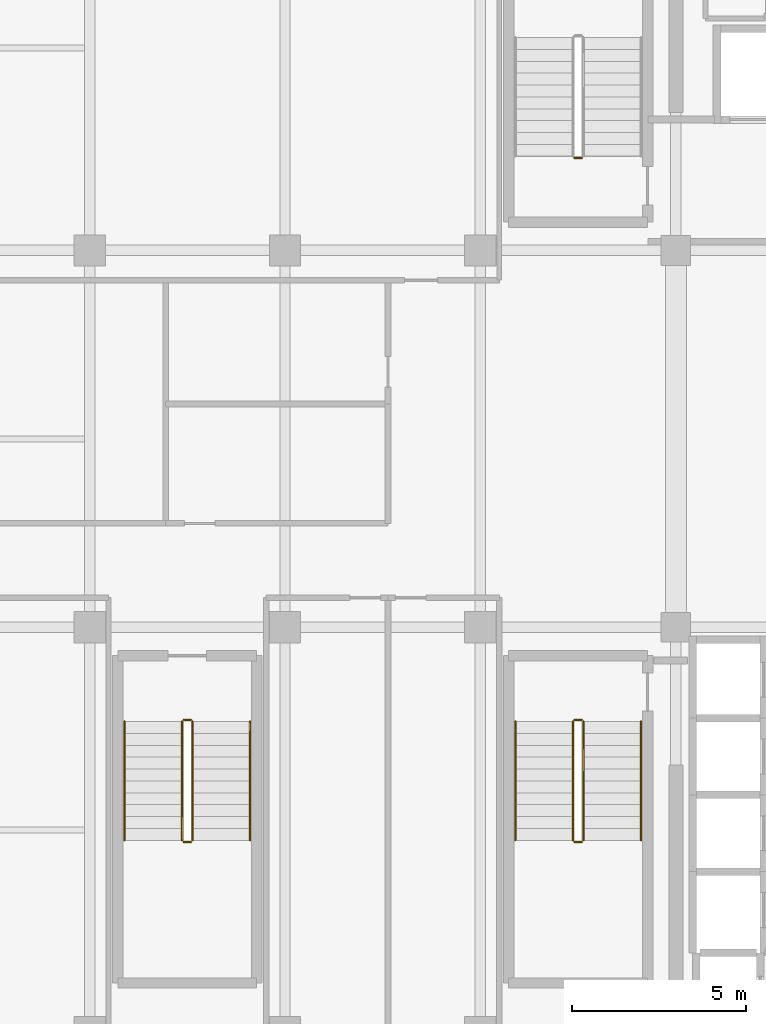
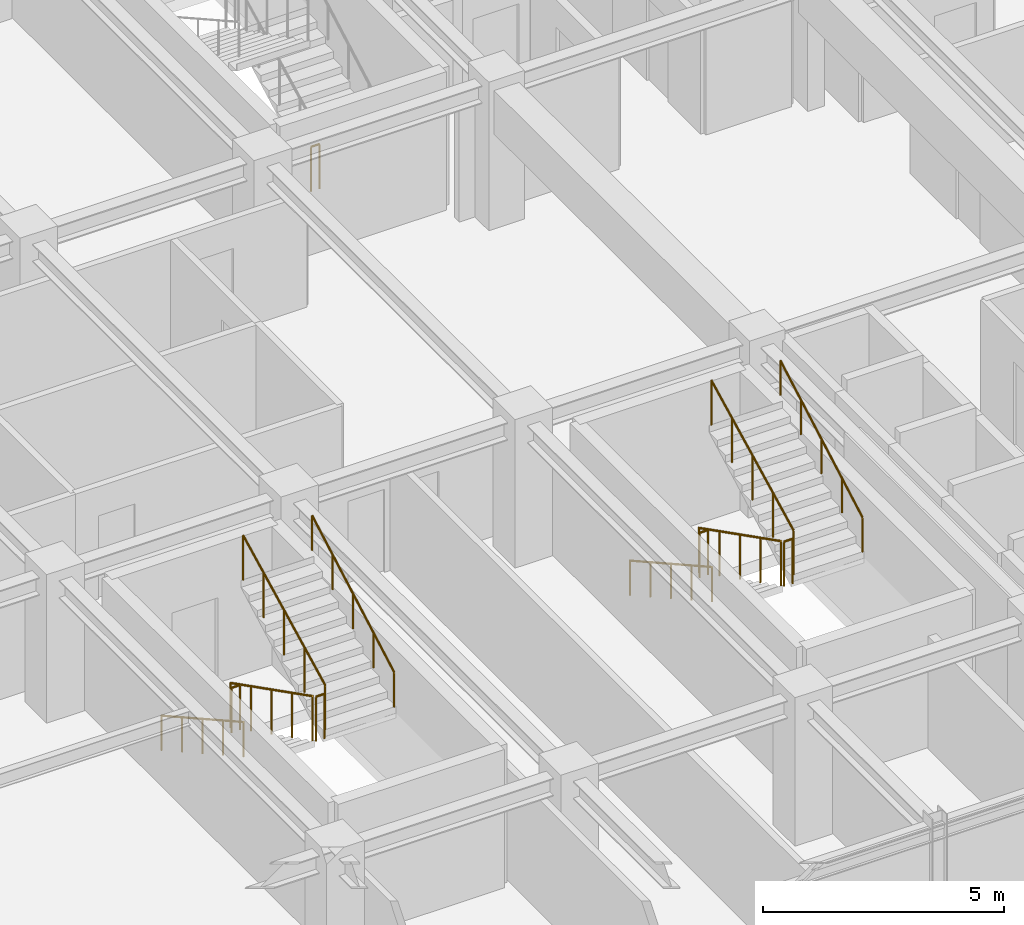
# One storey, part 28 of 31: 13 railings.
"""IFC4 building model written with IfcOpenShell, lengths in metres."""

from ifc_helpers import new_model, si_unit, direction, frame, origin, origin_2d, place, context, subcontext, project, spatial, circle, extrude, material, type_object, element, save


model = new_model("IFC4")

# Units and contexts
model_context = context("Model", 3, precision=1e-05, world=origin(), true_north=direction((0.0, 1.0)))
body_context = subcontext(model_context, "Body", "Model", "MODEL_VIEW")
ifc_project = project(units=[si_unit("LENGTHUNIT", "METRE"), si_unit("AREAUNIT", "SQUARE_METRE"), si_unit("VOLUMEUNIT", "CUBIC_METRE"), si_unit("PLANEANGLEUNIT", "RADIAN"), si_unit("MASSUNIT", "GRAM", prefix="KILO")], contexts=[model_context])

# Site, building, storey
site_placement = place(None, origin())
site = spatial("IfcSite", under=ifc_project, at=site_placement, CompositionType="ELEMENT")
building_placement = place(site_placement, origin())
building = spatial("IfcBuilding", under=site, at=building_placement, Name="Nahalor Promenade Grand Hotel", CompositionType="ELEMENT")
storey_placement = place(building_placement, frame((0.0, 0.0, 327.14990234375)))
storey = spatial("IfcBuildingStorey", under=building, at=storey_placement, Name="L84", CompositionType="ELEMENT", Elevation=327.14990234375)

# Railings
ifc_material = material(Name="Steel S355JR", Category="steel")
railing_type_1 = type_object("IfcRailingType", Name="Steel Stair Guardrail 1150 mm", PredefinedType="GUARDRAIL", material=ifc_material)
railing_1_placement = place(storey_placement, frame((5.699951171875, 8.050048828125, 0.0)))
element("IfcRailing", 1, at=railing_1_placement, inside=storey, type_object=railing_type_1, Name="L84 ST1 stair guard 4", PredefinedType="GUARDRAIL", context=body_context, shape_type="SweptSolid", body=[
    extrude(circle(Radius=0.024048, at=origin_2d()), frame((0.0, 0.0, 1.1259765625), z_axis=(-1.0, 0.0, 0.0), x_axis=(0.0, -1.0, 0.0)), (0.0, 0.0, 1.0), 0.199951171875),
    extrude(circle(Radius=0.020996, at=origin_2d()), origin(), (0.0, 0.0, 1.0), 1.099853515625),
    extrude(circle(Radius=0.020996, at=origin_2d()), frame((-0.199951171875, 0.0, 0.0)), (0.0, 0.0, 1.0), 1.099853515625),
])
railing_2_placement = place(storey_placement, frame((5.449951171875, -8.10009765625, 0.1728515625)))
element("IfcRailing", 2, at=railing_2_placement, inside=storey, type_object=railing_type_1, Name="L84 ST2 stair guard 1", PredefinedType="GUARDRAIL", context=body_context, shape_type="SweptSolid", body=[
    extrude(circle(Radius=0.024048, at=origin_2d()), frame((0.0, 0.0, 1.1259765625), z_axis=(0.0, -0.89154070688, 0.452940578858), x_axis=(1.0, 0.0, 0.0)), (0.0, 0.0, 1.0), 3.8134765625),
    extrude(circle(Radius=0.020996, at=origin_2d()), origin(), (0.0, 0.0, 1.0), 1.099853515625),
    extrude(circle(Radius=0.020996, at=origin_2d()), frame((0.0, -0.85009765625, 0.431884765625)), (0.0, 0.0, 1.0), 1.099853515625),
    extrude(circle(Radius=0.020996, at=origin_2d()), frame((0.0, -1.699951171875, 0.86376953125)), (0.0, 0.0, 1.0), 1.099853515625),
    extrude(circle(Radius=0.020996, at=origin_2d()), frame((0.0, -2.5498046875, 1.29541015625)), (0.0, 0.0, 1.0), 1.099853515625),
    extrude(circle(Radius=0.020996, at=origin_2d()), frame((0.0, -3.39990234375, 1.727294921875)), (0.0, 0.0, 1.0), 1.099853515625),
])
railing_3_placement = place(storey_placement, frame((5.5, -11.550048828125, 1.900146484375)))
element("IfcRailing", 3, at=railing_3_placement, inside=storey, type_object=railing_type_1, Name="L84 ST2 stair guard 2", PredefinedType="GUARDRAIL", context=body_context, shape_type="SweptSolid", body=[
    extrude(circle(Radius=0.024048, at=origin_2d()), frame((0.0, 0.0, 1.1259765625), z_axis=(1.0, 0.0, 0.0), x_axis=(0.0, 1.0, 0.0)), (0.0, 0.0, 1.0), 0.199951171875),
    extrude(circle(Radius=0.020996, at=origin_2d()), origin(), (0.0, 0.0, 1.0), 1.099853515625),
    extrude(circle(Radius=0.020996, at=origin_2d()), frame((0.199951171875, 0.0, 0.0)), (0.0, 0.0, 1.0), 1.099853515625),
])
railing_4_placement = place(storey_placement, frame((5.75, -11.5, 2.07275390625)))
element("IfcRailing", 4, at=railing_4_placement, inside=storey, type_object=railing_type_1, Name="L84 ST2 stair guard 3", PredefinedType="GUARDRAIL", context=body_context, shape_type="SweptSolid", body=[
    extrude(circle(Radius=0.024048, at=origin_2d()), frame((0.0, 0.0, 1.1259765625), z_axis=(0.0, 0.89154070688, 0.452940578858), x_axis=(-1.0, 0.0, 0.0)), (0.0, 0.0, 1.0), 3.8134765625),
    extrude(circle(Radius=0.020996, at=origin_2d()), origin(), (0.0, 0.0, 1.0), 1.099853515625),
    extrude(circle(Radius=0.020996, at=origin_2d()), frame((0.0, 0.85009765625, 0.431884765625)), (0.0, 0.0, 1.0), 1.099853515625),
    extrude(circle(Radius=0.020996, at=origin_2d()), frame((0.0, 1.699951171875, 0.86376953125)), (0.0, 0.0, 1.0), 1.099853515625),
    extrude(circle(Radius=0.020996, at=origin_2d()), frame((0.0, 2.5498046875, 1.29541015625)), (0.0, 0.0, 1.0), 1.099853515625),
    extrude(circle(Radius=0.020996, at=origin_2d()), frame((0.0, 3.39990234375, 1.727294921875)), (0.0, 0.0, 1.0), 1.099853515625),
])
railing_5_placement = place(storey_placement, frame((5.5, -8.050048828125, 0.0)))
element("IfcRailing", 5, at=railing_5_placement, inside=storey, type_object=railing_type_1, Name="L84 ST2 stair guard 4", PredefinedType="GUARDRAIL", context=body_context, shape_type="SweptSolid", body=[
    extrude(circle(Radius=0.024048, at=origin_2d()), frame((0.0, 0.0, 1.1259765625), z_axis=(1.0, 0.0, 0.0), x_axis=(0.0, 1.0, 0.0)), (0.0, 0.0, 1.0), 0.199951171875),
    extrude(circle(Radius=0.020996, at=origin_2d()), origin(), (0.0, 0.0, 1.0), 1.099853515625),
    extrude(circle(Radius=0.020996, at=origin_2d()), frame((0.199951171875, 0.0, 0.0)), (0.0, 0.0, 1.0), 1.099853515625),
])
railing_6_placement = place(storey_placement, frame((-5.75, -8.10009765625, 0.1728515625)))
element("IfcRailing", 6, at=railing_6_placement, inside=storey, type_object=railing_type_1, Name="L84 ST3 stair guard 1", PredefinedType="GUARDRAIL", context=body_context, shape_type="SweptSolid", body=[
    extrude(circle(Radius=0.024048, at=origin_2d()), frame((0.0, 0.0, 1.1259765625), z_axis=(0.0, -0.89154070688, 0.452940578858), x_axis=(1.0, 0.0, 0.0)), (0.0, 0.0, 1.0), 3.8134765625),
    extrude(circle(Radius=0.020996, at=origin_2d()), origin(), (0.0, 0.0, 1.0), 1.099853515625),
    extrude(circle(Radius=0.020996, at=origin_2d()), frame((0.0, -0.85009765625, 0.431884765625)), (0.0, 0.0, 1.0), 1.099853515625),
    extrude(circle(Radius=0.020996, at=origin_2d()), frame((0.0, -1.699951171875, 0.86376953125)), (0.0, 0.0, 1.0), 1.099853515625),
    extrude(circle(Radius=0.020996, at=origin_2d()), frame((0.0, -2.5498046875, 1.29541015625)), (0.0, 0.0, 1.0), 1.099853515625),
    extrude(circle(Radius=0.020996, at=origin_2d()), frame((0.0, -3.39990234375, 1.727294921875)), (0.0, 0.0, 1.0), 1.099853515625),
])
railing_7_placement = place(storey_placement, frame((-5.699951171875, -11.550048828125, 1.900146484375)))
element("IfcRailing", 7, at=railing_7_placement, inside=storey, type_object=railing_type_1, Name="L84 ST3 stair guard 2", PredefinedType="GUARDRAIL", context=body_context, shape_type="SweptSolid", body=[
    extrude(circle(Radius=0.024048, at=origin_2d()), frame((0.0, 0.0, 1.1259765625), z_axis=(1.0, 0.0, 0.0), x_axis=(0.0, 1.0, 0.0)), (0.0, 0.0, 1.0), 0.199951171875),
    extrude(circle(Radius=0.020996, at=origin_2d()), origin(), (0.0, 0.0, 1.0), 1.099853515625),
    extrude(circle(Radius=0.020996, at=origin_2d()), frame((0.199951171875, 0.0, 0.0)), (0.0, 0.0, 1.0), 1.099853515625),
])
railing_8_placement = place(storey_placement, frame((-5.449951171875, -11.5, 2.07275390625)))
element("IfcRailing", 8, at=railing_8_placement, inside=storey, type_object=railing_type_1, Name="L84 ST3 stair guard 3", PredefinedType="GUARDRAIL", context=body_context, shape_type="SweptSolid", body=[
    extrude(circle(Radius=0.024048, at=origin_2d()), frame((0.0, 0.0, 1.1259765625), z_axis=(0.0, 0.89154070688, 0.452940578858), x_axis=(-1.0, 0.0, 0.0)), (0.0, 0.0, 1.0), 3.8134765625),
    extrude(circle(Radius=0.020996, at=origin_2d()), origin(), (0.0, 0.0, 1.0), 1.099853515625),
    extrude(circle(Radius=0.020996, at=origin_2d()), frame((0.0, 0.85009765625, 0.431884765625)), (0.0, 0.0, 1.0), 1.099853515625),
    extrude(circle(Radius=0.020996, at=origin_2d()), frame((0.0, 1.699951171875, 0.86376953125)), (0.0, 0.0, 1.0), 1.099853515625),
    extrude(circle(Radius=0.020996, at=origin_2d()), frame((0.0, 2.5498046875, 1.29541015625)), (0.0, 0.0, 1.0), 1.099853515625),
    extrude(circle(Radius=0.020996, at=origin_2d()), frame((0.0, 3.39990234375, 1.727294921875)), (0.0, 0.0, 1.0), 1.099853515625),
])
railing_9_placement = place(storey_placement, frame((-5.699951171875, -8.050048828125, 0.0)))
element("IfcRailing", 9, at=railing_9_placement, inside=storey, type_object=railing_type_1, Name="L84 ST3 stair guard 4", PredefinedType="GUARDRAIL", context=body_context, shape_type="SweptSolid", body=[
    extrude(circle(Radius=0.024048, at=origin_2d()), frame((0.0, 0.0, 1.1259765625), z_axis=(1.0, 0.0, 0.0), x_axis=(0.0, 1.0, 0.0)), (0.0, 0.0, 1.0), 0.199951171875),
    extrude(circle(Radius=0.020996, at=origin_2d()), origin(), (0.0, 0.0, 1.0), 1.099853515625),
    extrude(circle(Radius=0.020996, at=origin_2d()), frame((0.199951171875, 0.0, 0.0)), (0.0, 0.0, 1.0), 1.099853515625),
])
railing_type_2 = type_object("IfcRailingType", Name="Steel Stair Handrail 900 mm", PredefinedType="HANDRAIL", material=ifc_material)
railing_10_placement = place(storey_placement, frame((3.800048828125, -8.10009765625, 0.1728515625)))
element("IfcRailing", 10, at=railing_10_placement, inside=storey, type_object=railing_type_2, Name="L84 ST2 stair handrail 1", PredefinedType="HANDRAIL", context=body_context, shape_type="SweptSolid", body=[
    extrude(circle(Radius=0.024048, at=origin_2d()), frame((0.0, 0.0, 0.8759765625), z_axis=(0.0, -0.872948192752, 0.487812928048), x_axis=(1.0, 0.0, 0.0)), (0.0, 0.0, 1.0), 3.894775390625),
    extrude(circle(Radius=0.020996, at=origin_2d()), origin(), (0.0, 0.0, 1.0), 0.849853515625),
    extrude(circle(Radius=0.020996, at=origin_2d()), frame((0.0, -0.85009765625, 0.47509765625)), (0.0, 0.0, 1.0), 0.849853515625),
    extrude(circle(Radius=0.020996, at=origin_2d()), frame((0.0, -1.699951171875, 0.949951171875)), (0.0, 0.0, 1.0), 0.849853515625),
    extrude(circle(Radius=0.020996, at=origin_2d()), frame((0.0, -2.5498046875, 1.4248046875)), (0.0, 0.0, 1.0), 0.849853515625),
    extrude(circle(Radius=0.020996, at=origin_2d()), frame((0.0, -3.39990234375, 1.89990234375)), (0.0, 0.0, 1.0), 0.849853515625),
])
railing_11_placement = place(storey_placement, frame((7.39990234375, -11.5, 2.07275390625)))
element("IfcRailing", 11, at=railing_11_placement, inside=storey, type_object=railing_type_2, Name="L84 ST2 stair handrail 2", PredefinedType="HANDRAIL", context=body_context, shape_type="SweptSolid", body=[
    extrude(circle(Radius=0.024048, at=origin_2d()), frame((0.0, 0.0, 0.8759765625), z_axis=(0.0, 0.872921498864, 0.487860694073), x_axis=(-1.0, 0.0, 0.0)), (0.0, 0.0, 1.0), 3.894775390625),
    extrude(circle(Radius=0.020996, at=origin_2d()), origin(), (0.0, 0.0, 1.0), 0.849853515625),
    extrude(circle(Radius=0.020996, at=origin_2d()), frame((0.0, 0.85009765625, 0.47509765625)), (0.0, 0.0, 1.0), 0.849853515625),
    extrude(circle(Radius=0.020996, at=origin_2d()), frame((0.0, 1.699951171875, 0.9501953125)), (0.0, 0.0, 1.0), 0.849853515625),
    extrude(circle(Radius=0.020996, at=origin_2d()), frame((0.0, 2.5498046875, 1.425048828125)), (0.0, 0.0, 1.0), 0.849853515625),
    extrude(circle(Radius=0.020996, at=origin_2d()), frame((0.0, 3.39990234375, 1.900146484375)), (0.0, 0.0, 1.0), 0.849853515625),
])
railing_12_placement = place(storey_placement, frame((-7.39990234375, -8.10009765625, 0.1728515625)))
element("IfcRailing", 12, at=railing_12_placement, inside=storey, type_object=railing_type_2, Name="L84 ST3 stair handrail 1", PredefinedType="HANDRAIL", context=body_context, shape_type="SweptSolid", body=[
    extrude(circle(Radius=0.024048, at=origin_2d()), frame((0.0, 0.0, 0.8759765625), z_axis=(0.0, -0.872948192752, 0.487812928048), x_axis=(1.0, 0.0, 0.0)), (0.0, 0.0, 1.0), 3.894775390625),
    extrude(circle(Radius=0.020996, at=origin_2d()), origin(), (0.0, 0.0, 1.0), 0.849853515625),
    extrude(circle(Radius=0.020996, at=origin_2d()), frame((0.0, -0.85009765625, 0.47509765625)), (0.0, 0.0, 1.0), 0.849853515625),
    extrude(circle(Radius=0.020996, at=origin_2d()), frame((0.0, -1.699951171875, 0.949951171875)), (0.0, 0.0, 1.0), 0.849853515625),
    extrude(circle(Radius=0.020996, at=origin_2d()), frame((0.0, -2.5498046875, 1.4248046875)), (0.0, 0.0, 1.0), 0.849853515625),
    extrude(circle(Radius=0.020996, at=origin_2d()), frame((0.0, -3.39990234375, 1.89990234375)), (0.0, 0.0, 1.0), 0.849853515625),
])
railing_13_placement = place(storey_placement, frame((-3.800048828125, -11.5, 2.07275390625)))
element("IfcRailing", 13, at=railing_13_placement, inside=storey, type_object=railing_type_2, Name="L84 ST3 stair handrail 2", PredefinedType="HANDRAIL", context=body_context, shape_type="SweptSolid", body=[
    extrude(circle(Radius=0.024048, at=origin_2d()), frame((0.0, 0.0, 0.8759765625), z_axis=(0.0, 0.872921498864, 0.487860694073), x_axis=(-1.0, 0.0, 0.0)), (0.0, 0.0, 1.0), 3.894775390625),
    extrude(circle(Radius=0.020996, at=origin_2d()), origin(), (0.0, 0.0, 1.0), 0.849853515625),
    extrude(circle(Radius=0.020996, at=origin_2d()), frame((0.0, 0.85009765625, 0.47509765625)), (0.0, 0.0, 1.0), 0.849853515625),
    extrude(circle(Radius=0.020996, at=origin_2d()), frame((0.0, 1.699951171875, 0.9501953125)), (0.0, 0.0, 1.0), 0.849853515625),
    extrude(circle(Radius=0.020996, at=origin_2d()), frame((0.0, 2.5498046875, 1.425048828125)), (0.0, 0.0, 1.0), 0.849853515625),
    extrude(circle(Radius=0.020996, at=origin_2d()), frame((0.0, 3.39990234375, 1.900146484375)), (0.0, 0.0, 1.0), 0.849853515625),
])

save(model, "model.ifc")
